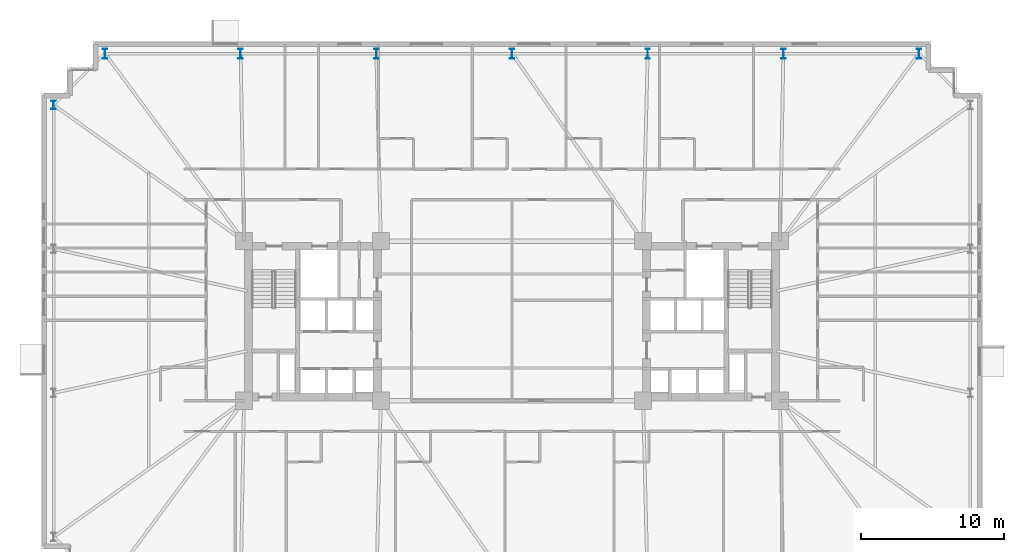
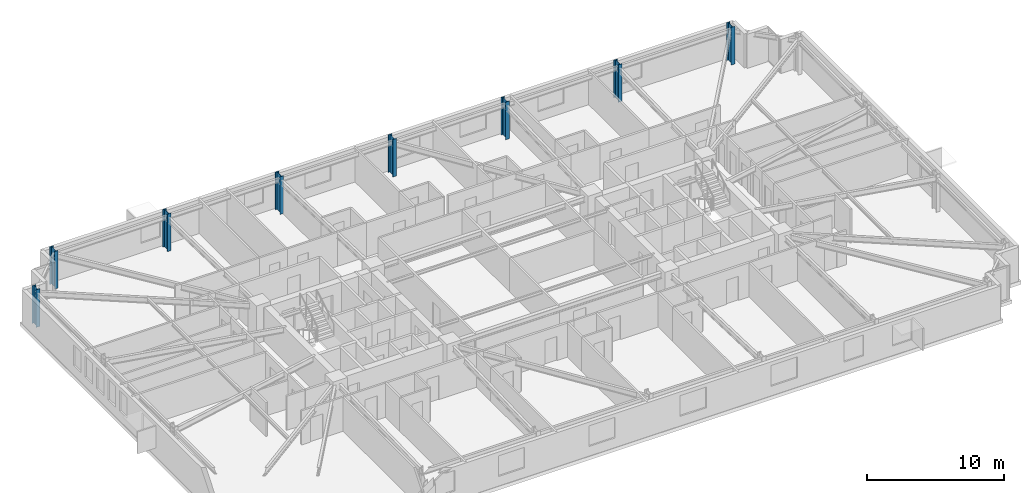
# One storey, part 2 of 21: 8 columns.
"""IFC4 building model written with IfcOpenShell, lengths in metres."""

from ifc_helpers import new_model, si_unit, direction, frame, origin, origin_2d, place, context, subcontext, project, spatial, i_section, extrude, material, material_profile, profile_set, type_object, element, save


model = new_model("IFC4")

# Units and contexts
model_context = context("Model", 3, precision=1e-05, world=origin(), true_north=direction((0.0, 1.0)))
body_context = subcontext(model_context, "Body", "Model", "MODEL_VIEW")
ifc_project = project(units=[si_unit("LENGTHUNIT", "METRE"), si_unit("AREAUNIT", "SQUARE_METRE"), si_unit("VOLUMEUNIT", "CUBIC_METRE"), si_unit("PLANEANGLEUNIT", "RADIAN"), si_unit("MASSUNIT", "GRAM", prefix="KILO")], contexts=[model_context])

# Site, building, storey
site_placement = place(None, origin())
site = spatial("IfcSite", under=ifc_project, at=site_placement, CompositionType="ELEMENT")
building_placement = place(site_placement, origin())
building = spatial("IfcBuilding", under=site, at=building_placement, Name="Qobustan Lattice House", CompositionType="ELEMENT")
storey_placement = place(building_placement, frame((0.0, 0.0, 30.35009765625)))
storey = spatial("IfcBuildingStorey", under=building, at=storey_placement, Name="L07", CompositionType="ELEMENT", Elevation=30.35009765625)

# Columns
ifc_material_1 = material(Name="Steel S460", Category="steel")
ifc_material_profile_1 = material_profile(ifc_material_1, i_section(OverallWidth=0.304931640625, OverallDepth=0.6201171875, WebThickness=0.02099609375, FlangeThickness=0.0400390625, FilletRadius=0.027099609375, at=origin_2d()), Name="HEM600")
ifc_profile_set_1 = profile_set([ifc_material_profile_1], Name="Steel S460")
column_type_1 = type_object("IfcColumnType", Name="COL-ST-HEM600", PredefinedType="COLUMN", material=ifc_profile_set_1)
column_placement = place(storey_placement, frame((-32.14990234375, 15.14990234375, 0.0), z_axis=(0.0, 0.0, 1.0), x_axis=(1.0, 0.0, 0.0)))
element("IfcColumn", 1, at=column_placement, inside=storey, type_object=column_type_1, Name="L07 B1 perimeter column W1", PredefinedType="COLUMN", context=body_context, shape_type="SweptSolid", body=[
    extrude(i_section(OverallWidth=0.304931640625, OverallDepth=0.6201171875, WebThickness=0.02099609375, FlangeThickness=0.0400390625, FilletRadius=0.027099609375, at=origin_2d()), origin(), (0.0, 0.0, 1.0), 3.349853515625),
])
ifc_material_2 = material(Name="Steel S460", Category="steel")
ifc_material_profile_2 = material_profile(ifc_material_2, i_section(OverallWidth=0.303955078125, OverallDepth=0.716064453125, WebThickness=0.02099609375, FlangeThickness=0.0400390625, FilletRadius=0.027099609375, at=origin_2d()), Name="HEM700")
ifc_profile_set_2 = profile_set([ifc_material_profile_2], Name="Steel S460")
column_type_2 = type_object("IfcColumnType", Name="COL-ST-HEM700", PredefinedType="COLUMN", material=ifc_profile_set_2)
for number, where, z_axis, x_axis, name in (
    (2, (28.550048828125, 18.75, 0.0), (0.0, 0.0, 1.0), (1.0, 0.0, 0.0), "L07 B1 perimeter column N1"),
    (3, (19.033203125, 18.75, 0.0), (0.0, 0.0, 1.0), (1.0, 0.0, 0.0), "L07 B1 perimeter column N2"),
    (4, (9.5166015625, 18.75, 0.0), (0.0, 0.0, 1.0), (1.0, 0.0, 0.0), "L07 B1 perimeter column N3"),
    (5, (0.0, 18.75, 0.0), (0.0, 0.0, 1.0), (1.0, 0.0, 0.0), "L07 B1 perimeter column N4"),
    (6, (-9.5166015625, 18.75, 0.0), (0.0, 0.0, 1.0), (1.0, 0.0, 0.0), "L07 B1 perimeter column N5"),
    (7, (-19.033203125, 18.75, 0.0), (0.0, 0.0, 1.0), (1.0, 0.0, 0.0), "L07 B1 perimeter column N6"),
    (8, (-28.550048828125, 18.75, 0.0), (0.0, 0.0, 1.0), (1.0, 0.0, 0.0), "L07 B1 perimeter column N7"),
):
    element("IfcColumn", number, at=place(storey_placement, frame(where, z_axis=z_axis, x_axis=x_axis)), inside=storey, type_object=column_type_2, Name=name, PredefinedType="COLUMN", context=body_context, shape_type="SweptSolid", body=[
        extrude(i_section(OverallWidth=0.303955078125, OverallDepth=0.716064453125, WebThickness=0.02099609375, FlangeThickness=0.0400390625, FilletRadius=0.027099609375, at=origin_2d()), origin(), (0.0, 0.0, 1.0), 3.349853515625),
    ])

save(model, "model.ifc")
